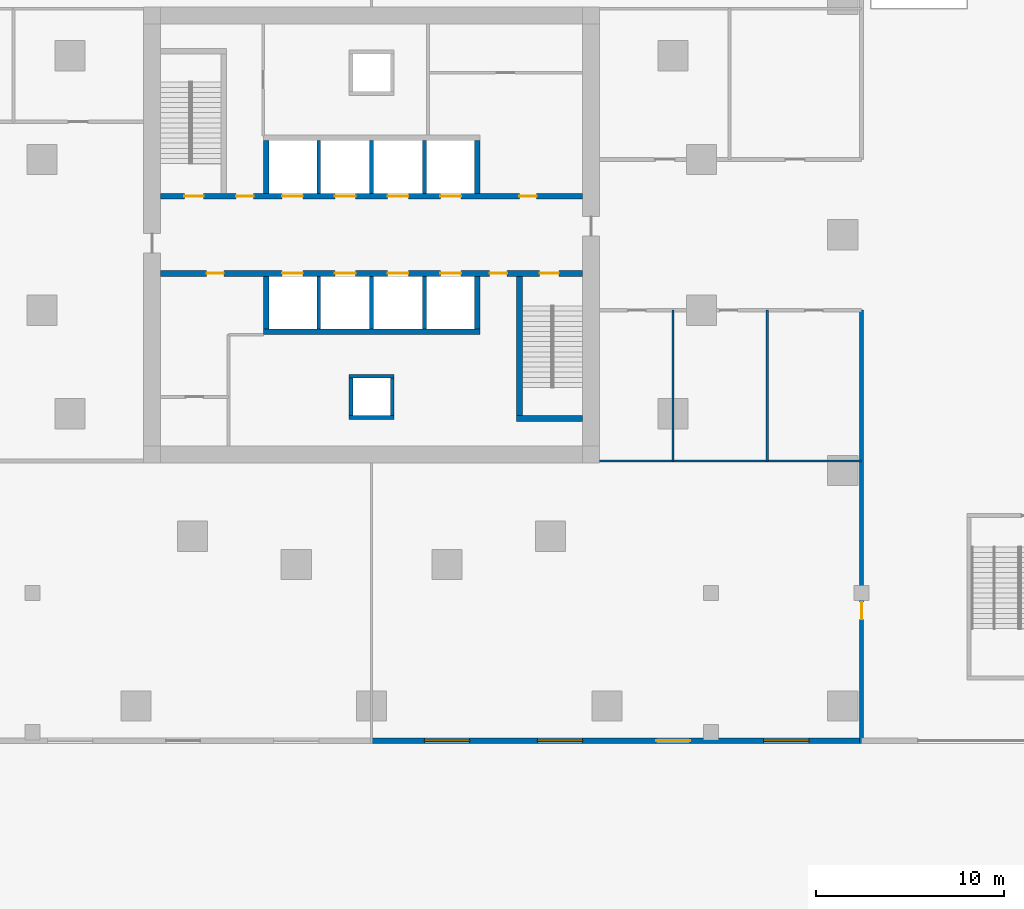
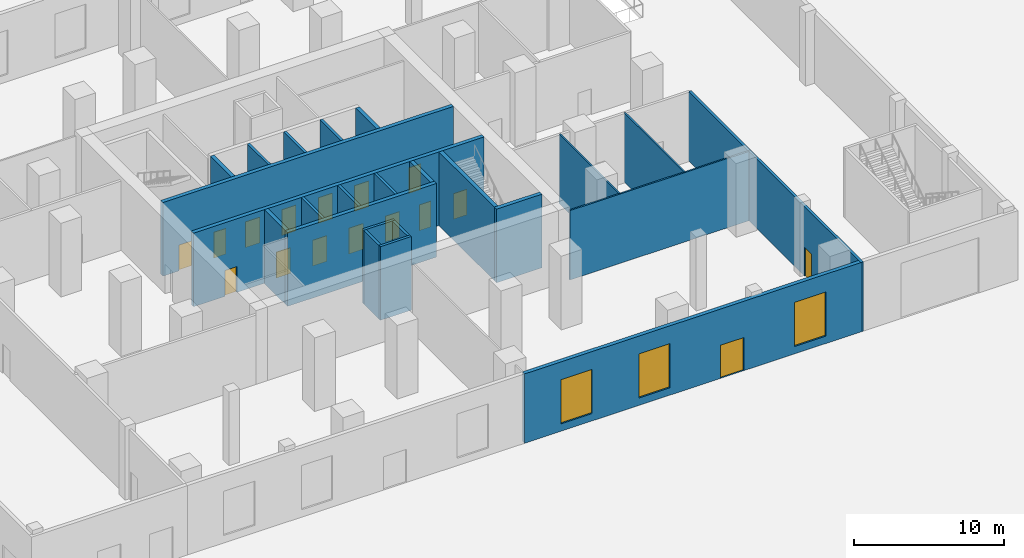
# One storey, part 3 of 8: 24 walls, 16 doors, 3 windows, 19 openings.
"""IFC4 building model written with IfcOpenShell, lengths in metres."""

from ifc_helpers import new_model, si_unit, direction, frame, frame_2d, origin, place, context, subcontext, project, spatial, rectangle, extrude, material, layer, layer_set, type_object, element, fill, save


model = new_model("IFC4")

# Units and contexts
model_context = context("Model", 3, precision=1e-05, world=origin(), true_north=direction((0.0, 1.0)))
body_context = subcontext(model_context, "Body", "Model", "MODEL_VIEW")
ifc_project = project(units=[si_unit("LENGTHUNIT", "METRE"), si_unit("AREAUNIT", "SQUARE_METRE"), si_unit("VOLUMEUNIT", "CUBIC_METRE"), si_unit("PLANEANGLEUNIT", "RADIAN"), si_unit("MASSUNIT", "GRAM", prefix="KILO")], contexts=[model_context])

# Site, building, storey
site_placement = place(None, origin())
site = spatial("IfcSite", under=ifc_project, at=site_placement, CompositionType="ELEMENT")
building_placement = place(site_placement, origin())
building = spatial("IfcBuilding", under=site, at=building_placement, Name="Torsade Residences", CompositionType="ELEMENT")
storey_placement = place(building_placement, origin())
storey = spatial("IfcBuildingStorey", under=building, at=storey_placement, Name="L00", CompositionType="ELEMENT", Elevation=0.0)

# Wall, openings, doors
ifc_material_1 = material(Name="Concrete 80 MPa", Category="concrete")
ifc_layer_1 = layer(ifc_material_1, 0.300048828125)
ifc_layer_set_1 = layer_set([ifc_layer_1], Name="Concrete 80 MPa")
wall_type_1 = type_object("IfcWallType", Name="CORE INTERNAL WALL 300", PredefinedType="SHEAR", material=ifc_layer_set_1)
wall_1_placement = place(storey_placement, frame((28.800048828125, 32.050048828125, 0.0), z_axis=(0.0, 0.0, 1.0), x_axis=(1.0, 0.0, 0.0)))
wall_1 = element("IfcWall", 1, at=wall_1_placement, inside=storey, type_object=wall_type_1, Name="Core wall LN L00", PredefinedType="SHEAR", context=body_context, shape_type="SweptSolid", body=[
    extrude(rectangle(XDim=22.39990234375, YDim=0.300048828125, at=frame_2d((11.199951171875, 0.0))), origin(), (0.0, 0.0, 1.0), 6.0),
])
opening_1_placement = place(wall_1_placement, frame((19.0400390625, 0.0, 0.0)))
opening_1 = element("IfcOpeningElement", 2, at=opening_1_placement, cuts=wall_1, Name="Opening D06", PredefinedType="OPENING", context=body_context, shape_type="SweptSolid", body=[
    extrude(rectangle(XDim=0.919921875, YDim=2.10009765625, at=frame_2d((0.4599609375, 1.050048828125))), frame((0.0, 0.159912109375, 0.0), z_axis=(0.0, -1.0, 0.0), x_axis=(1.0, 0.0, 0.0)), (0.0, 0.0, 1.0), 0.320068359375),
])
opening_2_placement = place(wall_1_placement, frame((1.264892578125, 0.0, 0.0)))
opening_2 = element("IfcOpeningElement", 3, at=opening_2_placement, cuts=wall_1, Name="Opening D03", PredefinedType="OPENING", context=body_context, shape_type="SweptSolid", body=[
    extrude(rectangle(XDim=1.02001953125, YDim=2.10009765625, at=frame_2d((0.510009765625, 1.050048828125))), frame((0.0, 0.159912109375, 0.0), z_axis=(0.0, -1.0, 0.0), x_axis=(1.0, 0.0, 0.0)), (0.0, 0.0, 1.0), 0.320068359375),
])
opening_3_placement = place(wall_1_placement, frame((4.014892578125, 0.0, 0.0)))
opening_3 = element("IfcOpeningElement", 4, at=opening_3_placement, cuts=wall_1, Name="Opening D06", PredefinedType="OPENING", context=body_context, shape_type="SweptSolid", body=[
    extrude(rectangle(XDim=0.919921875, YDim=2.10009765625, at=frame_2d((0.4599609375, 1.050048828125))), frame((0.0, 0.159912109375, 0.0), z_axis=(0.0, -1.0, 0.0), x_axis=(1.0, 0.0, 0.0)), (0.0, 0.0, 1.0), 0.320068359375),
])
opening_4_placement = place(wall_1_placement, frame((6.449951171875, 0.0, 0.0)))
opening_4 = element("IfcOpeningElement", 5, at=opening_4_placement, cuts=wall_1, Name="Opening LD", PredefinedType="OPENING", context=body_context, shape_type="SweptSolid", body=[
    extrude(rectangle(XDim=1.10009765625, YDim=2.10009765625, at=frame_2d((0.550048828125, 1.050048828125))), frame((0.0, 0.159912109375, 0.0), z_axis=(0.0, -1.0, 0.0), x_axis=(1.0, 0.0, 0.0)), (0.0, 0.0, 1.0), 0.320068359375),
])
opening_5_placement = place(wall_1_placement, frame((9.25, 0.0, 0.0)))
opening_5 = element("IfcOpeningElement", 6, at=opening_5_placement, cuts=wall_1, Name="Opening LD", PredefinedType="OPENING", context=body_context, shape_type="SweptSolid", body=[
    extrude(rectangle(XDim=1.10009765625, YDim=2.10009765625, at=frame_2d((0.550048828125, 1.050048828125))), frame((0.0, 0.159912109375, 0.0), z_axis=(0.0, -1.0, 0.0), x_axis=(1.0, 0.0, 0.0)), (0.0, 0.0, 1.0), 0.320068359375),
])
opening_6_placement = place(wall_1_placement, frame((12.050048828125, 0.0, 0.0)))
opening_6 = element("IfcOpeningElement", 7, at=opening_6_placement, cuts=wall_1, Name="Opening LD", PredefinedType="OPENING", context=body_context, shape_type="SweptSolid", body=[
    extrude(rectangle(XDim=1.10009765625, YDim=2.10009765625, at=frame_2d((0.550048828125, 1.050048828125))), frame((0.0, 0.159912109375, 0.0), z_axis=(0.0, -1.0, 0.0), x_axis=(1.0, 0.0, 0.0)), (0.0, 0.0, 1.0), 0.320068359375),
])
opening_7_placement = place(wall_1_placement, frame((14.85009765625, 0.0, 0.0)))
opening_7 = element("IfcOpeningElement", 8, at=opening_7_placement, cuts=wall_1, Name="Opening LD", PredefinedType="OPENING", context=body_context, shape_type="SweptSolid", body=[
    extrude(rectangle(XDim=1.10009765625, YDim=2.10009765625, at=frame_2d((0.550048828125, 1.050048828125))), frame((0.0, 0.159912109375, 0.0), z_axis=(0.0, -1.0, 0.0), x_axis=(1.0, 0.0, 0.0)), (0.0, 0.0, 1.0), 0.320068359375),
])
ifc_material_2 = material(Name="Steel-framed fire door", Category="steel")
door_type_1 = type_object("IfcDoorType", Name="FIRE DOOR 1020", OperationType="NOTDEFINED", PredefinedType="DOOR", material=ifc_material_2)
door_1_placement = place(opening_2_placement, origin())
door_1 = element("IfcDoor", 9, at=door_1_placement, inside=storey, type_object=door_type_1, Name="Exit door to fire-isolated stair ST1 L00", OperationType="SINGLE_SWING_RIGHT", OverallHeight=2.10009765625, OverallWidth=1.02001953125, PredefinedType="DOOR", context=body_context, shape_type="SweptSolid", body=[
    extrude(rectangle(XDim=1.02001953125, YDim=2.10009765625, at=frame_2d((0.510009765625, 1.050048828125))), frame((0.0, 0.02490234375, 0.0), z_axis=(0.0, -1.0, 0.0), x_axis=(1.0, 0.0, 0.0)), (0.0, 0.0, 1.0), 0.050048828125),
])
fill(opening_2, door_1)
ifc_material_3 = material(Name="Steel-framed fire door", Category="steel")
door_type_2 = type_object("IfcDoorType", Name="FIRE DOOR 920", OperationType="NOTDEFINED", PredefinedType="DOOR", material=ifc_material_3)
door_2_placement = place(opening_1_placement, origin())
door_2 = element("IfcDoor", 10, at=door_2_placement, inside=storey, type_object=door_type_2, Name="Door Lift lobby to Refuse room", OperationType="SINGLE_SWING_LEFT", OverallHeight=2.10009765625, OverallWidth=0.919921875, PredefinedType="DOOR", context=body_context, shape_type="SweptSolid", body=[
    extrude(rectangle(XDim=0.919921875, YDim=2.10009765625, at=frame_2d((0.4599609375, 1.050048828125))), frame((0.0, 0.02490234375, 0.0), z_axis=(0.0, -1.0, 0.0), x_axis=(1.0, 0.0, 0.0)), (0.0, 0.0, 1.0), 0.050048828125),
])
fill(opening_1, door_2)
door_3_placement = place(opening_3_placement, origin())
door_3 = element("IfcDoor", 11, at=door_3_placement, inside=storey, type_object=door_type_2, Name="Door Lift lobby to Meter store", OperationType="SINGLE_SWING_LEFT", OverallHeight=2.10009765625, OverallWidth=0.919921875, PredefinedType="DOOR", context=body_context, shape_type="SweptSolid", body=[
    extrude(rectangle(XDim=0.919921875, YDim=2.10009765625, at=frame_2d((0.4599609375, 1.050048828125))), frame((0.0, 0.02490234375, 0.0), z_axis=(0.0, -1.0, 0.0), x_axis=(1.0, 0.0, 0.0)), (0.0, 0.0, 1.0), 0.050048828125),
])
fill(opening_3, door_3)
ifc_material_4 = material(Name="Stainless steel lift landing door", Category="steel")
door_type_3 = type_object("IfcDoorType", Name="LIFT LANDING DOOR 1100", OperationType="SLIDING_TO_LEFT", PredefinedType="DOOR", material=ifc_material_4)
door_4_placement = place(opening_4_placement, origin())
door_4 = element("IfcDoor", 12, at=door_4_placement, inside=storey, type_object=door_type_3, Name="Lift LA1 landing door L00", OperationType="SLIDING_TO_LEFT", OverallHeight=2.10009765625, OverallWidth=1.10009765625, PredefinedType="DOOR", context=body_context, shape_type="SweptSolid", body=[
    extrude(rectangle(XDim=1.10009765625, YDim=2.10009765625, at=frame_2d((0.550048828125, 1.050048828125))), frame((0.0, 0.02490234375, 0.0), z_axis=(0.0, -1.0, 0.0), x_axis=(1.0, 0.0, 0.0)), (0.0, 0.0, 1.0), 0.050048828125),
])
fill(opening_4, door_4)
door_5_placement = place(opening_5_placement, origin())
door_5 = element("IfcDoor", 13, at=door_5_placement, inside=storey, type_object=door_type_3, Name="Lift LA2 landing door L00", OperationType="SLIDING_TO_LEFT", OverallHeight=2.10009765625, OverallWidth=1.10009765625, PredefinedType="DOOR", context=body_context, shape_type="SweptSolid", body=[
    extrude(rectangle(XDim=1.10009765625, YDim=2.10009765625, at=frame_2d((0.550048828125, 1.050048828125))), frame((0.0, 0.02490234375, 0.0), z_axis=(0.0, -1.0, 0.0), x_axis=(1.0, 0.0, 0.0)), (0.0, 0.0, 1.0), 0.050048828125),
])
fill(opening_5, door_5)
door_6_placement = place(opening_6_placement, origin())
door_6 = element("IfcDoor", 14, at=door_6_placement, inside=storey, type_object=door_type_3, Name="Lift LA3 landing door L00", OperationType="SLIDING_TO_LEFT", OverallHeight=2.10009765625, OverallWidth=1.10009765625, PredefinedType="DOOR", context=body_context, shape_type="SweptSolid", body=[
    extrude(rectangle(XDim=1.10009765625, YDim=2.10009765625, at=frame_2d((0.550048828125, 1.050048828125))), frame((0.0, 0.02490234375, 0.0), z_axis=(0.0, -1.0, 0.0), x_axis=(1.0, 0.0, 0.0)), (0.0, 0.0, 1.0), 0.050048828125),
])
fill(opening_6, door_6)
door_7_placement = place(opening_7_placement, origin())
door_7 = element("IfcDoor", 15, at=door_7_placement, inside=storey, type_object=door_type_3, Name="Lift FL1 landing door L00", OperationType="SLIDING_TO_LEFT", OverallHeight=2.10009765625, OverallWidth=1.10009765625, PredefinedType="DOOR", context=body_context, shape_type="SweptSolid", body=[
    extrude(rectangle(XDim=1.10009765625, YDim=2.10009765625, at=frame_2d((0.550048828125, 1.050048828125))), frame((0.0, 0.02490234375, 0.0), z_axis=(0.0, -1.0, 0.0), x_axis=(1.0, 0.0, 0.0)), (0.0, 0.0, 1.0), 0.050048828125),
])
fill(opening_7, door_7)

wall_2_placement = place(storey_placement, frame((51.199951171875, 27.949951171875, 0.0), z_axis=(0.0, 0.0, 1.0), x_axis=(-1.0, 0.0, 0.0)))
wall_2 = element("IfcWall", 16, at=wall_2_placement, inside=storey, type_object=wall_type_1, Name="Core wall LS L00", PredefinedType="SHEAR", context=body_context, shape_type="SweptSolid", body=[
    extrude(rectangle(XDim=22.39990234375, YDim=0.300048828125, at=frame_2d((11.199951171875, 0.0))), origin(), (0.0, 0.0, 1.0), 6.0),
])
opening_8_placement = place(wall_2_placement, frame((19.0400390625, 0.0, 0.0)))
opening_8 = element("IfcOpeningElement", 17, at=opening_8_placement, cuts=wall_2, Name="Opening D06", PredefinedType="OPENING", context=body_context, shape_type="SweptSolid", body=[
    extrude(rectangle(XDim=0.919921875, YDim=2.10009765625, at=frame_2d((0.4599609375, 1.050048828125))), frame((0.0, 0.159912109375, 0.0), z_axis=(0.0, -1.0, 0.0), x_axis=(1.0, 0.0, 0.0)), (0.0, 0.0, 1.0), 0.320068359375),
])
opening_9_placement = place(wall_2_placement, frame((1.264892578125, 0.0, 0.0)))
opening_9 = element("IfcOpeningElement", 18, at=opening_9_placement, cuts=wall_2, Name="Opening D03", PredefinedType="OPENING", context=body_context, shape_type="SweptSolid", body=[
    extrude(rectangle(XDim=1.02001953125, YDim=2.10009765625, at=frame_2d((0.510009765625, 1.050048828125))), frame((0.0, 0.159912109375, 0.0), z_axis=(0.0, -1.0, 0.0), x_axis=(1.0, 0.0, 0.0)), (0.0, 0.0, 1.0), 0.320068359375),
])
opening_10_placement = place(wall_2_placement, frame((4.014892578125, 0.0, 0.0)))
opening_10 = element("IfcOpeningElement", 19, at=opening_10_placement, cuts=wall_2, Name="Opening D06", PredefinedType="OPENING", context=body_context, shape_type="SweptSolid", body=[
    extrude(rectangle(XDim=0.919921875, YDim=2.10009765625, at=frame_2d((0.4599609375, 1.050048828125))), frame((0.0, 0.159912109375, 0.0), z_axis=(0.0, -1.0, 0.0), x_axis=(1.0, 0.0, 0.0)), (0.0, 0.0, 1.0), 0.320068359375),
])
opening_11_placement = place(wall_2_placement, frame((6.449951171875, 0.0, 0.0)))
opening_11 = element("IfcOpeningElement", 20, at=opening_11_placement, cuts=wall_2, Name="Opening LD", PredefinedType="OPENING", context=body_context, shape_type="SweptSolid", body=[
    extrude(rectangle(XDim=1.10009765625, YDim=2.10009765625, at=frame_2d((0.550048828125, 1.050048828125))), frame((0.0, 0.159912109375, 0.0), z_axis=(0.0, -1.0, 0.0), x_axis=(1.0, 0.0, 0.0)), (0.0, 0.0, 1.0), 0.320068359375),
])
opening_12_placement = place(wall_2_placement, frame((9.25, 0.0, 0.0)))
opening_12 = element("IfcOpeningElement", 21, at=opening_12_placement, cuts=wall_2, Name="Opening LD", PredefinedType="OPENING", context=body_context, shape_type="SweptSolid", body=[
    extrude(rectangle(XDim=1.10009765625, YDim=2.10009765625, at=frame_2d((0.550048828125, 1.050048828125))), frame((0.0, 0.159912109375, 0.0), z_axis=(0.0, -1.0, 0.0), x_axis=(1.0, 0.0, 0.0)), (0.0, 0.0, 1.0), 0.320068359375),
])
opening_13_placement = place(wall_2_placement, frame((12.050048828125, 0.0, 0.0)))
opening_13 = element("IfcOpeningElement", 22, at=opening_13_placement, cuts=wall_2, Name="Opening LD", PredefinedType="OPENING", context=body_context, shape_type="SweptSolid", body=[
    extrude(rectangle(XDim=1.10009765625, YDim=2.10009765625, at=frame_2d((0.550048828125, 1.050048828125))), frame((0.0, 0.159912109375, 0.0), z_axis=(0.0, -1.0, 0.0), x_axis=(1.0, 0.0, 0.0)), (0.0, 0.0, 1.0), 0.320068359375),
])
opening_14_placement = place(wall_2_placement, frame((14.85009765625, 0.0, 0.0)))
opening_14 = element("IfcOpeningElement", 23, at=opening_14_placement, cuts=wall_2, Name="Opening LD", PredefinedType="OPENING", context=body_context, shape_type="SweptSolid", body=[
    extrude(rectangle(XDim=1.10009765625, YDim=2.10009765625, at=frame_2d((0.550048828125, 1.050048828125))), frame((0.0, 0.159912109375, 0.0), z_axis=(0.0, -1.0, 0.0), x_axis=(1.0, 0.0, 0.0)), (0.0, 0.0, 1.0), 0.320068359375),
])
door_8_placement = place(opening_9_placement, origin())
door_8 = element("IfcDoor", 24, at=door_8_placement, inside=storey, type_object=door_type_1, Name="Exit door to fire-isolated stair ST2 L00", OperationType="SINGLE_SWING_RIGHT", OverallHeight=2.10009765625, OverallWidth=1.02001953125, PredefinedType="DOOR", context=body_context, shape_type="SweptSolid", body=[
    extrude(rectangle(XDim=1.02001953125, YDim=2.10009765625, at=frame_2d((0.510009765625, 1.050048828125))), frame((0.0, 0.02490234375, 0.0), z_axis=(0.0, -1.0, 0.0), x_axis=(1.0, 0.0, 0.0)), (0.0, 0.0, 1.0), 0.050048828125),
])
fill(opening_9, door_8)
door_9_placement = place(opening_8_placement, origin())
door_9 = element("IfcDoor", 25, at=door_9_placement, inside=storey, type_object=door_type_2, Name="Door Lift lobby to Cleaner store", OperationType="SINGLE_SWING_LEFT", OverallHeight=2.10009765625, OverallWidth=0.919921875, PredefinedType="DOOR", context=body_context, shape_type="SweptSolid", body=[
    extrude(rectangle(XDim=0.919921875, YDim=2.10009765625, at=frame_2d((0.4599609375, 1.050048828125))), frame((0.0, 0.02490234375, 0.0), z_axis=(0.0, -1.0, 0.0), x_axis=(1.0, 0.0, 0.0)), (0.0, 0.0, 1.0), 0.050048828125),
])
fill(opening_8, door_9)
door_10_placement = place(opening_10_placement, origin())
door_10 = element("IfcDoor", 26, at=door_10_placement, inside=storey, type_object=door_type_2, Name="Door Lift lobby to Communications riser room", OperationType="SINGLE_SWING_RIGHT", OverallHeight=2.10009765625, OverallWidth=0.919921875, PredefinedType="DOOR", context=body_context, shape_type="SweptSolid", body=[
    extrude(rectangle(XDim=0.919921875, YDim=2.10009765625, at=frame_2d((0.4599609375, 1.050048828125))), frame((0.0, 0.02490234375, 0.0), z_axis=(0.0, -1.0, 0.0), x_axis=(1.0, 0.0, 0.0)), (0.0, 0.0, 1.0), 0.050048828125),
])
fill(opening_10, door_10)
door_11_placement = place(opening_11_placement, origin())
door_11 = element("IfcDoor", 27, at=door_11_placement, inside=storey, type_object=door_type_3, Name="Lift LB1 landing door L00", OperationType="SLIDING_TO_LEFT", OverallHeight=2.10009765625, OverallWidth=1.10009765625, PredefinedType="DOOR", context=body_context, shape_type="SweptSolid", body=[
    extrude(rectangle(XDim=1.10009765625, YDim=2.10009765625, at=frame_2d((0.550048828125, 1.050048828125))), frame((0.0, 0.02490234375, 0.0), z_axis=(0.0, -1.0, 0.0), x_axis=(1.0, 0.0, 0.0)), (0.0, 0.0, 1.0), 0.050048828125),
])
fill(opening_11, door_11)
door_12_placement = place(opening_12_placement, origin())
door_12 = element("IfcDoor", 28, at=door_12_placement, inside=storey, type_object=door_type_3, Name="Lift LB2 landing door L00", OperationType="SLIDING_TO_LEFT", OverallHeight=2.10009765625, OverallWidth=1.10009765625, PredefinedType="DOOR", context=body_context, shape_type="SweptSolid", body=[
    extrude(rectangle(XDim=1.10009765625, YDim=2.10009765625, at=frame_2d((0.550048828125, 1.050048828125))), frame((0.0, 0.02490234375, 0.0), z_axis=(0.0, -1.0, 0.0), x_axis=(1.0, 0.0, 0.0)), (0.0, 0.0, 1.0), 0.050048828125),
])
fill(opening_12, door_12)
door_13_placement = place(opening_13_placement, origin())
door_13 = element("IfcDoor", 29, at=door_13_placement, inside=storey, type_object=door_type_3, Name="Lift LB3 landing door L00", OperationType="SLIDING_TO_LEFT", OverallHeight=2.10009765625, OverallWidth=1.10009765625, PredefinedType="DOOR", context=body_context, shape_type="SweptSolid", body=[
    extrude(rectangle(XDim=1.10009765625, YDim=2.10009765625, at=frame_2d((0.550048828125, 1.050048828125))), frame((0.0, 0.02490234375, 0.0), z_axis=(0.0, -1.0, 0.0), x_axis=(1.0, 0.0, 0.0)), (0.0, 0.0, 1.0), 0.050048828125),
])
fill(opening_13, door_13)
door_14_placement = place(opening_14_placement, origin())
door_14 = element("IfcDoor", 30, at=door_14_placement, inside=storey, type_object=door_type_3, Name="Lift FL2 landing door L00", OperationType="SLIDING_TO_LEFT", OverallHeight=2.10009765625, OverallWidth=1.10009765625, PredefinedType="DOOR", context=body_context, shape_type="SweptSolid", body=[
    extrude(rectangle(XDim=1.10009765625, YDim=2.10009765625, at=frame_2d((0.550048828125, 1.050048828125))), frame((0.0, 0.02490234375, 0.0), z_axis=(0.0, -1.0, 0.0), x_axis=(1.0, 0.0, 0.0)), (0.0, 0.0, 1.0), 0.050048828125),
])
fill(opening_14, door_14)

# Walls
wall_3_placement = place(storey_placement, frame((45.75, 24.85009765625, 0.0), z_axis=(0.0, 0.0, 1.0), x_axis=(-1.0, 0.0, 0.0)))
element("IfcWall", 31, at=wall_3_placement, inside=storey, type_object=wall_type_1, Name="Core wall BS L00", PredefinedType="SHEAR", context=body_context, shape_type="SweptSolid", body=[
    extrude(rectangle(XDim=11.5, YDim=0.300048828125, at=frame_2d((5.75, 0.0))), origin(), (0.0, 0.0, 1.0), 6.0),
])
for number, where, z_axis, x_axis, name in (
    (32, (34.39990234375, 32.199951171875, 0.0), (0.0, 0.0, 1.0), (0.0, 1.0, 0.0), "Core wall DN0 L00"),
    (33, (45.60009765625, 27.800048828125, 0.0), (0.0, 0.0, 1.0), (0.0, -1.0, 0.0), "Core wall DS0 L00"),
    (34, (45.60009765625, 32.199951171875, 0.0), (0.0, 0.0, 1.0), (0.0, 1.0, 0.0), "Core wall DN4 L00"),
    (35, (34.39990234375, 27.800048828125, 0.0), (0.0, 0.0, 1.0), (0.0, -1.0, 0.0), "Core wall DS4 L00"),
):
    element("IfcWall", number, at=place(storey_placement, frame(where, z_axis=z_axis, x_axis=x_axis)), inside=storey, type_object=wall_type_1, Name=name, PredefinedType="SHEAR", context=body_context, shape_type="SweptSolid", body=[
        extrude(rectangle(XDim=2.800048828125, YDim=0.300048828125, at=frame_2d((1.39990234375, 0.0))), origin(), (0.0, 0.0, 1.0), 6.0),
    ])
wall_4_placement = place(storey_placement, frame((47.85009765625, 27.800048828125, 0.0), z_axis=(0.0, 0.0, 1.0), x_axis=(0.0, -1.0, 0.0)))
element("IfcWall", 36, at=wall_4_placement, inside=storey, type_object=wall_type_1, Name="Core wall ST2W L00", PredefinedType="SHEAR", context=body_context, shape_type="SweptSolid", body=[
    extrude(rectangle(XDim=7.699951171875, YDim=0.300048828125, at=frame_2d((3.85009765625, 0.0))), origin(), (0.0, 0.0, 1.0), 6.0),
])
wall_5_placement = place(storey_placement, frame((51.199951171875, 20.25, 0.0), z_axis=(0.0, 0.0, 1.0), x_axis=(-1.0, 0.0, 0.0)))
element("IfcWall", 37, at=wall_5_placement, inside=storey, type_object=wall_type_1, Name="Core wall ST2S L00", PredefinedType="SHEAR", context=body_context, shape_type="SweptSolid", body=[
    extrude(rectangle(XDim=3.5, YDim=0.300048828125, at=frame_2d((1.75, 0.0))), origin(), (0.0, 0.0, 1.0), 6.0),
])

# Wall, opening, door
ifc_material_5 = material(Name="Plasterboard on steel stud", Category="steel")
ifc_layer_2 = layer(ifc_material_5, 0.199951171875)
ifc_layer_set_2 = layer_set([ifc_layer_2], Name="Plasterboard on steel stud")
wall_type_2 = type_object("IfcWallType", Name="CORRIDOR WALL 200", PredefinedType="PARTITIONING", material=ifc_layer_set_2)
wall_6_placement = place(storey_placement, frame((66.0, 26.0, 0.0), z_axis=(0.0, 0.0, 1.0), x_axis=(0.0, -1.0, 0.0)))
wall_6 = element("IfcWall", 38, at=wall_6_placement, inside=storey, type_object=wall_type_2, Name="Corridor wall L00", PredefinedType="PARTITIONING", context=body_context, shape_type="SweptSolid", body=[
    extrude(rectangle(XDim=23.0, YDim=0.199951171875, at=frame_2d((11.5, 0.0))), origin(), (0.0, 0.0, 1.0), 5.64990234375),
])
opening_15_placement = place(wall_6_placement, frame((15.489990234375, 0.0, 0.0)))
opening_15 = element("IfcOpeningElement", 39, at=opening_15_placement, cuts=wall_6, Name="Opening D02", PredefinedType="OPENING", context=body_context, shape_type="SweptSolid", body=[
    extrude(rectangle(XDim=0.919921875, YDim=2.340087890625, at=frame_2d((0.4599609375, 1.169921875))), frame((0.0, 0.10986328125, 0.0), z_axis=(0.0, -1.0, 0.0), x_axis=(1.0, 0.0, 0.0)), (0.0, 0.0, 1.0), 0.219970703125),
])
ifc_material_6 = material(Name="Hollow-core timber door", Category="wood")
door_type_4 = type_object("IfcDoorType", Name="INTERNAL DOOR 920x2340", OperationType="NOTDEFINED", PredefinedType="DOOR", material=ifc_material_6)
door_15_placement = place(opening_15_placement, origin())
door_15 = element("IfcDoor", 40, at=door_15_placement, inside=storey, type_object=door_type_4, Name="Door Driveway and loading bay to Shop 2", OperationType="SINGLE_SWING_LEFT", OverallHeight=2.340087890625, OverallWidth=0.919921875, PredefinedType="DOOR", context=body_context, shape_type="SweptSolid", body=[
    extrude(rectangle(XDim=0.919921875, YDim=2.340087890625, at=frame_2d((0.4599609375, 1.169921875))), frame((0.0, 0.02490234375, 0.0), z_axis=(0.0, -1.0, 0.0), x_axis=(1.0, 0.0, 0.0)), (0.0, 0.0, 1.0), 0.050048828125),
])
fill(opening_15, door_15)

# Walls
ifc_material_7 = material(Name="Reinforced blockwork", Category="masonry")
ifc_layer_3 = layer(ifc_material_7, 0.199951171875)
ifc_layer_set_3 = layer_set([ifc_layer_3], Name="Reinforced blockwork")
wall_type_3 = type_object("IfcWallType", Name="LIFT SHAFT DIVIDING WALL 200", PredefinedType="SOLIDWALL", material=ifc_layer_set_3)
for number, where, z_axis, x_axis, name in (
    (41, (37.199951171875, 32.199951171875, 0.0), (0.0, 0.0, 1.0), (0.0, 1.0, 0.0), "Core wall DN1 L00"),
    (42, (42.800048828125, 27.800048828125, 0.0), (0.0, 0.0, 1.0), (0.0, -1.0, 0.0), "Core wall DS1 L00"),
    (43, (40.0, 32.199951171875, 0.0), (0.0, 0.0, 1.0), (0.0, 1.0, 0.0), "Core wall DN2 L00"),
    (44, (40.0, 27.800048828125, 0.0), (0.0, 0.0, 1.0), (0.0, -1.0, 0.0), "Core wall DS2 L00"),
    (45, (42.800048828125, 32.199951171875, 0.0), (0.0, 0.0, 1.0), (0.0, 1.0, 0.0), "Core wall DN3 L00"),
    (46, (37.199951171875, 27.800048828125, 0.0), (0.0, 0.0, 1.0), (0.0, -1.0, 0.0), "Core wall DS3 L00"),
):
    element("IfcWall", number, at=place(storey_placement, frame(where, z_axis=z_axis, x_axis=x_axis)), inside=storey, type_object=wall_type_3, Name=name, PredefinedType="SOLIDWALL", context=body_context, shape_type="SweptSolid", body=[
        extrude(rectangle(XDim=2.800048828125, YDim=0.199951171875, at=frame_2d((1.39990234375, 0.0))), origin(), (0.0, 0.0, 1.0), 6.0),
    ])
ifc_material_8 = material(Name="Plasterboard on steel stud", Category="steel")
ifc_layer_4 = layer(ifc_material_8, 0.1201171875)
ifc_layer_set_4 = layer_set([ifc_layer_4], Name="Plasterboard on steel stud")
wall_type_4 = type_object("IfcWallType", Name="PARTITION 120", PredefinedType="PARTITIONING", material=ifc_layer_set_4)
wall_7_placement = place(storey_placement, frame((52.10009765625, 18.0, 0.0), z_axis=(0.0, 0.0, 1.0), x_axis=(1.0, 0.0, 0.0)))
element("IfcWall", 47, at=wall_7_placement, inside=storey, type_object=wall_type_4, Name="Partition L00", PredefinedType="PARTITIONING", context=body_context, shape_type="SweptSolid", body=[
    extrude(rectangle(XDim=13.89990234375, YDim=0.1201171875, at=frame_2d((6.949951171875, 0.0))), origin(), (0.0, 0.0, 1.0), 5.64990234375),
])
for number, where, z_axis, x_axis, name in (
    (48, (56.0, 26.0, 0.0), (0.0, 0.0, 1.0), (0.0, -1.0, 0.0), "Partition L00"),
    (49, (61.0, 26.0, 0.0), (0.0, 0.0, 1.0), (0.0, -1.0, 0.0), "Partition L00"),
):
    element("IfcWall", number, at=place(storey_placement, frame(where, z_axis=z_axis, x_axis=x_axis)), inside=storey, type_object=wall_type_4, Name=name, PredefinedType="PARTITIONING", context=body_context, shape_type="SweptSolid", body=[
        extrude(rectangle(XDim=8.0, YDim=0.1201171875, at=frame_2d((4.0, 0.0))), origin(), (0.0, 0.0, 1.0), 5.64990234375),
    ])
ifc_material_9 = material(Name="Reinforced blockwork", Category="masonry")
ifc_layer_5 = layer(ifc_material_9, 0.199951171875)
ifc_layer_set_5 = layer_set([ifc_layer_5], Name="Reinforced blockwork")
wall_type_5 = type_object("IfcWallType", Name="RISER SHAFT WALL 200", PredefinedType="SOLIDWALL", material=ifc_layer_set_5)
for number, where, z_axis, x_axis, name in (
    (50, (38.89990234375, 22.39990234375, 0.0), (0.0, 0.0, 1.0), (0.0, -1.0, 0.0), "Core wall RS2a L00"),
    (51, (41.10009765625, 22.39990234375, 0.0), (0.0, 0.0, 1.0), (0.0, -1.0, 0.0), "Core wall RS2b L00"),
):
    element("IfcWall", number, at=place(storey_placement, frame(where, z_axis=z_axis, x_axis=x_axis)), inside=storey, type_object=wall_type_5, Name=name, PredefinedType="SOLIDWALL", context=body_context, shape_type="SweptSolid", body=[
        extrude(rectangle(XDim=2.0, YDim=0.199951171875, at=frame_2d((1.0, 0.0))), origin(), (0.0, 0.0, 1.0), 6.0),
    ])
for number, where, z_axis, x_axis, name in (
    (52, (38.800048828125, 22.5, 0.0), (0.0, 0.0, 1.0), (1.0, 0.0, 0.0), "Core wall RS2c L00"),
    (53, (38.800048828125, 20.300048828125, 0.0), (0.0, 0.0, 1.0), (1.0, 0.0, 0.0), "Core wall RS2d L00"),
):
    element("IfcWall", number, at=place(storey_placement, frame(where, z_axis=z_axis, x_axis=x_axis)), inside=storey, type_object=wall_type_5, Name=name, PredefinedType="SOLIDWALL", context=body_context, shape_type="SweptSolid", body=[
        extrude(rectangle(XDim=2.39990234375, YDim=0.199951171875, at=frame_2d((1.199951171875, 0.0))), origin(), (0.0, 0.0, 1.0), 6.0),
    ])

# Wall, openings, door, windows
ifc_material_10 = material(Name="Sandstone on concrete 40 MPa", Category="masonry")
ifc_layer_6 = layer(ifc_material_10, 0.300048828125)
ifc_layer_set_6 = layer_set([ifc_layer_6], Name="Sandstone on concrete 40 MPa")
wall_type_6 = type_object("IfcWallType", Name="STONE-FACED SHOPFRONT WALL 300", PredefinedType="SOLIDWALL", material=ifc_layer_set_6)
wall_8_placement = place(storey_placement, frame((40.0, 3.14990234375, 0.0), z_axis=(0.0, 0.0, 1.0), x_axis=(1.0, 0.0, 0.0)))
wall_8 = element("IfcWall", 54, at=wall_8_placement, inside=storey, type_object=wall_type_6, Name="Shopfront wall S3", PredefinedType="SOLIDWALL", context=body_context, shape_type="SweptSolid", body=[
    extrude(rectangle(XDim=26.0, YDim=0.300048828125, at=frame_2d((13.0, 0.0))), origin(), (0.0, 0.0, 1.0), 5.64990234375),
])
opening_16_placement = place(wall_8_placement, frame((2.800048828125, 0.0, 0.60009765625)))
opening_16 = element("IfcOpeningElement", 55, at=opening_16_placement, cuts=wall_8, Name="Opening W2", PredefinedType="OPENING", context=body_context, shape_type="SweptSolid", body=[
    extrude(rectangle(XDim=2.39990234375, YDim=3.60009765625, at=frame_2d((1.199951171875, 1.800048828125))), frame((0.0, 0.159912109375, 0.0), z_axis=(0.0, -1.0, 0.0), x_axis=(1.0, 0.0, 0.0)), (0.0, 0.0, 1.0), 0.320068359375),
])
opening_17_placement = place(wall_8_placement, frame((8.800048828125, 0.0, 0.60009765625)))
opening_17 = element("IfcOpeningElement", 56, at=opening_17_placement, cuts=wall_8, Name="Opening W2", PredefinedType="OPENING", context=body_context, shape_type="SweptSolid", body=[
    extrude(rectangle(XDim=2.39990234375, YDim=3.60009765625, at=frame_2d((1.199951171875, 1.800048828125))), frame((0.0, 0.159912109375, 0.0), z_axis=(0.0, -1.0, 0.0), x_axis=(1.0, 0.0, 0.0)), (0.0, 0.0, 1.0), 0.320068359375),
])
opening_18_placement = place(wall_8_placement, frame((15.10009765625, 0.0, 0.0)))
opening_18 = element("IfcOpeningElement", 57, at=opening_18_placement, cuts=wall_8, Name="Opening D20", PredefinedType="OPENING", context=body_context, shape_type="SweptSolid", body=[
    extrude(rectangle(XDim=1.800048828125, YDim=2.699951171875, at=frame_2d((0.89990234375, 1.35009765625))), frame((0.0, 0.159912109375, 0.0), z_axis=(0.0, -1.0, 0.0), x_axis=(1.0, 0.0, 0.0)), (0.0, 0.0, 1.0), 0.320068359375),
])
opening_19_placement = place(wall_8_placement, frame((20.800048828125, 0.0, 0.60009765625)))
opening_19 = element("IfcOpeningElement", 58, at=opening_19_placement, cuts=wall_8, Name="Opening W2", PredefinedType="OPENING", context=body_context, shape_type="SweptSolid", body=[
    extrude(rectangle(XDim=2.39990234375, YDim=3.60009765625, at=frame_2d((1.199951171875, 1.800048828125))), frame((0.0, 0.159912109375, 0.0), z_axis=(0.0, -1.0, 0.0), x_axis=(1.0, 0.0, 0.0)), (0.0, 0.0, 1.0), 0.320068359375),
])
ifc_material_11 = material(Name="Aluminium-framed glass door", Category="aluminium")
door_type_5 = type_object("IfcDoorType", Name="ENTRANCE DOOR PAIR 1800", OperationType="DOUBLE_DOOR_DOUBLE_SWING", PredefinedType="DOOR", material=ifc_material_11)
door_16_placement = place(opening_18_placement, origin())
door_16 = element("IfcDoor", 59, at=door_16_placement, inside=storey, type_object=door_type_5, Name="Shop entrance S3", OperationType="DOUBLE_DOOR_DOUBLE_SWING", OverallHeight=2.699951171875, OverallWidth=1.800048828125, PredefinedType="DOOR", context=body_context, shape_type="SweptSolid", body=[
    extrude(rectangle(XDim=1.800048828125, YDim=2.699951171875, at=frame_2d((0.89990234375, 1.35009765625))), frame((0.0, 0.02490234375, 0.0), z_axis=(0.0, -1.0, 0.0), x_axis=(1.0, 0.0, 0.0)), (0.0, 0.0, 1.0), 0.050048828125),
])
fill(opening_18, door_16)
ifc_material_12 = material(Name="Aluminium-framed glass window", Category="aluminium")
window_type = type_object("IfcWindowType", Name="SHOPFRONT WINDOW 2400", PartitioningType="SINGLE_PANEL", PredefinedType="WINDOW", material=ifc_material_12)
window_1_placement = place(opening_16_placement, origin())
window_1 = element("IfcWindow", 60, at=window_1_placement, inside=storey, type_object=window_type, Name="Shopfront window S3.1", OverallHeight=3.60009765625, OverallWidth=2.39990234375, PartitioningType="SINGLE_PANEL", PredefinedType="WINDOW", context=body_context, shape_type="SweptSolid", body=[
    extrude(rectangle(XDim=2.39990234375, YDim=3.60009765625, at=frame_2d((1.199951171875, 1.800048828125))), frame((0.0, 0.030029296875, 0.0), z_axis=(0.0, -1.0, 0.0), x_axis=(1.0, 0.0, 0.0)), (0.0, 0.0, 1.0), 0.06005859375),
])
fill(opening_16, window_1)
window_2_placement = place(opening_17_placement, origin())
window_2 = element("IfcWindow", 61, at=window_2_placement, inside=storey, type_object=window_type, Name="Shopfront window S3.2", OverallHeight=3.60009765625, OverallWidth=2.39990234375, PartitioningType="SINGLE_PANEL", PredefinedType="WINDOW", context=body_context, shape_type="SweptSolid", body=[
    extrude(rectangle(XDim=2.39990234375, YDim=3.60009765625, at=frame_2d((1.199951171875, 1.800048828125))), frame((0.0, 0.030029296875, 0.0), z_axis=(0.0, -1.0, 0.0), x_axis=(1.0, 0.0, 0.0)), (0.0, 0.0, 1.0), 0.06005859375),
])
fill(opening_17, window_2)
window_3_placement = place(opening_19_placement, origin())
window_3 = element("IfcWindow", 62, at=window_3_placement, inside=storey, type_object=window_type, Name="Shopfront window S3.4", OverallHeight=3.60009765625, OverallWidth=2.39990234375, PartitioningType="SINGLE_PANEL", PredefinedType="WINDOW", context=body_context, shape_type="SweptSolid", body=[
    extrude(rectangle(XDim=2.39990234375, YDim=3.60009765625, at=frame_2d((1.199951171875, 1.800048828125))), frame((0.0, 0.030029296875, 0.0), z_axis=(0.0, -1.0, 0.0), x_axis=(1.0, 0.0, 0.0)), (0.0, 0.0, 1.0), 0.06005859375),
])
fill(opening_19, window_3)

save(model, "model.ifc")
